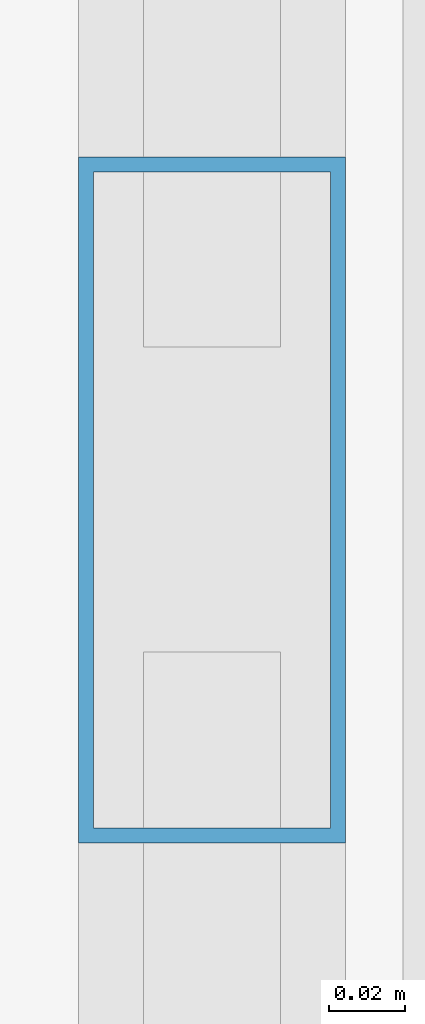
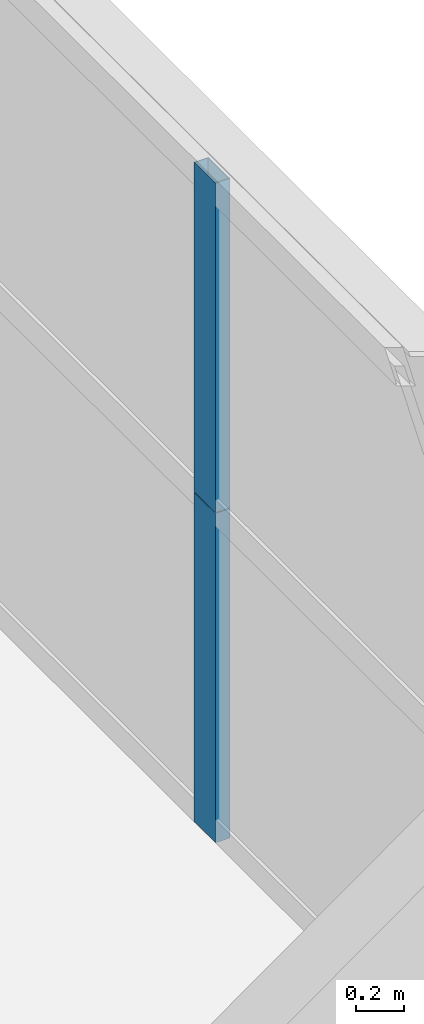
# One storey, part 32 of 43: 2 members, 1 element without a shape of its own.
"""IFC4 building model written with IfcOpenShell, lengths in metres."""

from ifc_helpers import new_model, si_unit, direction, frame, origin, origin_2d, place, context, subcontext, project, spatial, hollow_rectangle, extrude, source, transform, mapped, material, layer, layer_set, material_profile, profile_set, type_object, element, aggregate, save


model = new_model("IFC4")

# Units and contexts
model_context = context("Model", 3, precision=1e-05, world=origin(), true_north=direction((0.0, 1.0)))
body_context = subcontext(model_context, "Body", "Model", "MODEL_VIEW")
ifc_project = project(units=[si_unit("LENGTHUNIT", "METRE"), si_unit("AREAUNIT", "SQUARE_METRE"), si_unit("VOLUMEUNIT", "CUBIC_METRE"), si_unit("PLANEANGLEUNIT", "RADIAN"), si_unit("MASSUNIT", "GRAM", prefix="KILO"), si_unit("THERMODYNAMICTEMPERATUREUNIT", "KELVIN"), si_unit("POWERUNIT", "WATT")], contexts=[model_context])

# Site, building, storey
site_placement = place(None, origin())
site = spatial("IfcSite", under=ifc_project, at=site_placement, CompositionType="ELEMENT")
building_placement = place(site_placement, origin())
building = spatial("IfcBuilding", under=site, at=building_placement, Name="Yuzanri Waterfront Tower", CompositionType="ELEMENT")
storey_placement = place(building_placement, frame((0.0, 0.0, 78.39990234375)))
storey = spatial("IfcBuildingStorey", under=building, at=storey_placement, Name="L20", CompositionType="ELEMENT", Elevation=78.39990234375)

# Curtain wall, members
ifc_material_1 = material(Name="Anodized Architectural Bronze", Category="metal")
ifc_layer = layer(ifc_material_1, 0.159912109375)
ifc_layer_set = layer_set([ifc_layer], Name="Anodized Architectural Bronze")
curtain_wall_type = type_object("IfcCurtainWallType", Name="Anodized Bronze Hotel Lower-Tier Recessed Unitized Curtain Wall 8100", PredefinedType="NOTDEFINED", material=ifc_layer_set)
curtain_wall_placement = place(storey_placement, origin())
curtain_wall = element("IfcCurtainWall", 1, at=curtain_wall_placement, inside=storey, type_object=curtain_wall_type, Name="L20 Curtain Wall CW-L20-ER", PredefinedType="NOTDEFINED")
ifc_material_2 = material(Name="Anodized Architectural Bronze", Category="metal")
ifc_material_profile = material_profile(ifc_material_2, hollow_rectangle(XDim=0.070068359375, YDim=0.179931640625, WallThickness=0.00390625, at=origin_2d()), Name="CWM 70x180")
ifc_profile_set = profile_set([ifc_material_profile], Name="Anodized Architectural Bronze")
member_type = type_object("IfcMemberType", Name="Anodized Bronze Standard Curtain-Wall Mullion 70x180", PredefinedType="MULLION", material=ifc_profile_set)
shared_shape = source(origin(), body_context, "Body", "SweptSolid", [
    extrude(hollow_rectangle(XDim=0.070068359375, YDim=0.179931640625, WallThickness=0.00390625, at=origin_2d()), origin(), (0.0, 0.0, 1.0), 1.68798828125),
])
member_1_placement = place(storey_placement, frame((61.949951171875, 34.89990234375, 0.0), z_axis=(0.0, 0.0, 1.0), x_axis=(1.0, 0.0, 0.0)))
member_1 = element("IfcMember", 2, at=member_1_placement, type_object=member_type, Name="CW-L20-ER Lower Mullion 01", PredefinedType="MULLION", context=body_context, shape_type="MappedRepresentation", body=[
    mapped(shared_shape, transform((0.0, 0.0, 0.0), scale=1.0)),
])
member_2_placement = place(storey_placement, frame((61.949951171875, 34.89990234375, 1.692138671875), z_axis=(0.0, 0.0, 1.0), x_axis=(1.0, 0.0, 0.0)))
member_2 = element("IfcMember", 3, at=member_2_placement, type_object=member_type, Name="CW-L20-ER Upper Mullion 01", PredefinedType="MULLION", context=body_context, shape_type="MappedRepresentation", body=[
    mapped(shared_shape, transform((0.0, 0.0, 0.0), scale=1.0)),
])
aggregate(curtain_wall, [member_1, member_2])

save(model, "model.ifc")
